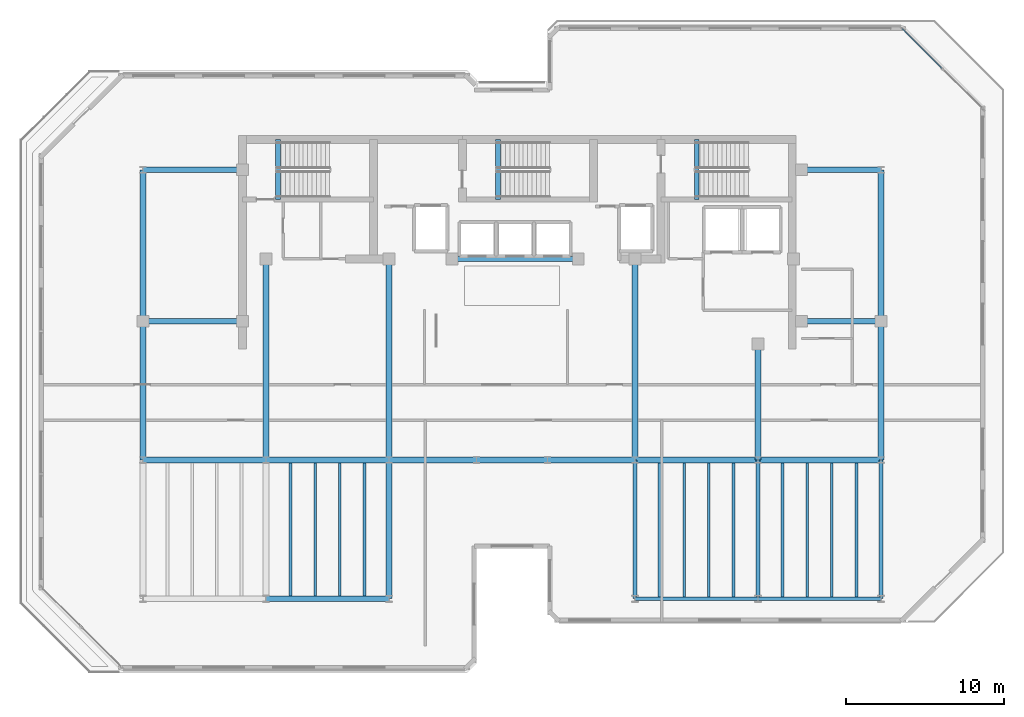
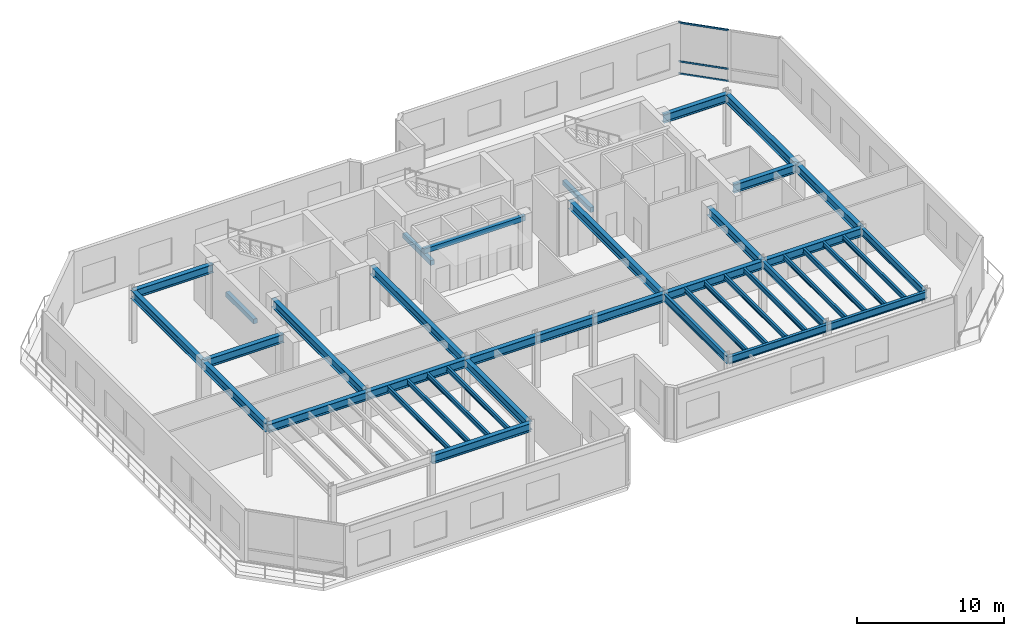
# One storey, part 3 of 14: 42 beams, 3 members, 1 element without a shape of its own.
"""IFC4 building model written with IfcOpenShell, lengths in metres."""

import ifcopenshell
import ifcopenshell.guid

model = None  # the IFC model being written
_history = None  # IfcOwnerHistory: only IFC2X3 demands one
_inside = {}  # id of a spatial element -> (the spatial element, [elements in it])
_under = {}  # id of a project, library or spatial element -> (it, [spatial elements below it])
_declared = {}  # id of a project -> (the project, [libraries it declares])
_typed = {}  # id of a type object -> (the type object, [elements of that type])
_made_of = {}  # id of a material, layer set ... -> (it, [elements and type objects made of it])


def new_model(schema):
    """Start an empty IFC model of exactly this schema.

    Asked for "IFC4X3", IfcOpenShell would pick the latest addendum, in which some entities
    have other attributes; the version numbers below select the first issue.
    IFC2X3 requires an IfcOwnerHistory on every rooted entity: one is made here for all.
    """
    global model, _history
    if schema == "IFC4X3":
        model = ifcopenshell.file(schema_version=(4, 3, 0, 0))
    else:
        model = ifcopenshell.file(schema=schema)
    _inside.clear()
    _under.clear()
    _declared.clear()
    _typed.clear()
    _made_of.clear()
    _history = None
    if model.schema == "IFC2X3":
        org = make("IfcOrganization", Name="unknown")
        user = make(
            "IfcPersonAndOrganization",
            ThePerson=make("IfcPerson", FamilyName="unknown"),
            TheOrganization=org,
        )
        app = make(
            "IfcApplication",
            ApplicationDeveloper=org,
            Version="unknown",
            ApplicationFullName="unknown",
            ApplicationIdentifier="unknown",
        )
        _history = make(
            "IfcOwnerHistory",
            OwningUser=user,
            OwningApplication=app,
            ChangeAction="ADDED",
            CreationDate=0,
        )
    return model


def make(cls, **values):
    """One entity of the class cls with the attributes given. An attribute that is None is left unset."""
    return model.create_entity(
        cls, **{name: value for name, value in values.items() if value is not None}
    )


def rooted(cls, **values):
    """An entity with a GlobalId (a new one), such as an element, a storey or a relation."""
    return make(cls, GlobalId=ifcopenshell.guid.new(), OwnerHistory=_history, **values)


def si_unit(unit_type, name, prefix=None):
    """IfcSIUnit, for example si_unit("LENGTHUNIT", "METRE", prefix="MILLI")."""
    return make("IfcSIUnit", UnitType=unit_type, Prefix=prefix, Name=name)


def assignment(units):
    """IfcUnitAssignment: the units of a project."""
    return None if units is None else make("IfcUnitAssignment", Units=units)


def point(xyz):
    """IfcCartesianPoint."""
    return None if xyz is None else make("IfcCartesianPoint", Coordinates=xyz)


def direction(xyz):
    """IfcDirection."""
    return None if xyz is None else make("IfcDirection", DirectionRatios=xyz)


def frame(location, z_axis=None, x_axis=None):
    """IfcAxis2Placement3D, a coordinate frame: its origin and axes. An axis left out is left unset."""
    return make(
        "IfcAxis2Placement3D",
        Location=point(location),
        Axis=direction(z_axis),
        RefDirection=direction(x_axis),
    )


def frame_2d(location, x_axis=None):
    """IfcAxis2Placement2D, a coordinate frame in the plane: its origin and x axis."""
    return make(
        "IfcAxis2Placement2D", Location=point(location), RefDirection=direction(x_axis)
    )


def origin():
    """The frame at (0, 0, 0) with its axes left unset."""
    return frame((0.0, 0.0, 0.0))


def origin_2d():
    """The frame at (0, 0) in the plane with its x axis left unset."""
    return frame_2d((0.0, 0.0))


def place(relative_to, where):
    """IfcLocalPlacement: puts the frame where relative to a parent placement (None: the world)."""
    return make(
        "IfcLocalPlacement", PlacementRelTo=relative_to, RelativePlacement=where
    )


def context(
    kind, dimensions, precision=None, world=None, true_north=None, identifier=None
):
    """IfcGeometricRepresentationContext, for example the 3D "Model" context."""
    return make(
        "IfcGeometricRepresentationContext",
        ContextIdentifier=identifier,
        ContextType=kind,
        CoordinateSpaceDimension=dimensions,
        Precision=precision,
        WorldCoordinateSystem=world,
        TrueNorth=true_north,
    )


def subcontext(parent, identifier, kind, view, scale=None):
    """IfcGeometricRepresentationSubContext, for example "Body" below "Model"."""
    return make(
        "IfcGeometricRepresentationSubContext",
        ContextIdentifier=identifier,
        ContextType=kind,
        ParentContext=parent,
        TargetScale=scale,
        TargetView=view,
    )


def project(units=None, contexts=None):
    """IfcProject with its units and contexts."""
    return rooted(
        "IfcProject",
        Name="project",
        RepresentationContexts=contexts,
        UnitsInContext=assignment(units),
    )


def spatial(cls, under=None, at=None, **own):
    """A site, building, storey or space (cls), placed at a placement, below another one or the project."""
    s = rooted(cls, ObjectPlacement=at, **own)
    if under is not None:
        _under.setdefault(under.id(), (under, []))[1].append(s)
    return s


def profile(cls, at=None, kind="AREA", **sizes):
    """A parametric profile (cls). Its sizes go by their IFC names, for example OverallWidth=200.0."""
    return make(cls, ProfileType=kind, Position=at, **sizes)


def rectangle(**sizes):
    """IfcRectangleProfileDef."""
    return profile("IfcRectangleProfileDef", **sizes)


def hollow_rectangle(**sizes):
    """IfcRectangleHollowProfileDef."""
    return profile("IfcRectangleHollowProfileDef", **sizes)


def i_section(**sizes):
    """IfcIShapeProfileDef."""
    return profile("IfcIShapeProfileDef", **sizes)


def extrude(swept, where, along, depth):
    """IfcExtrudedAreaSolid: the profile swept, set in the frame where, extruded along a direction by depth."""
    return make(
        "IfcExtrudedAreaSolid",
        SweptArea=swept,
        Position=where,
        ExtrudedDirection=direction(along),
        Depth=depth,
    )


def shape(context_of_items, identifier, shape_type, items):
    """IfcShapeRepresentation: the items that make up one representation, for example the "Body"."""
    return make(
        "IfcShapeRepresentation",
        ContextOfItems=context_of_items,
        RepresentationIdentifier=identifier,
        RepresentationType=shape_type,
        Items=items,
    )


def material(Name=None, Category=None):
    """IfcMaterial."""
    return make("IfcMaterial", Name=Name, Category=Category)


def layer(
    of_material, thickness, ventilated=None, Name=None, Category=None, Priority=None
):
    """IfcMaterialLayer: one layer of a wall or slab, of a material (None: an air gap)."""
    return make(
        "IfcMaterialLayer",
        Material=of_material,
        LayerThickness=thickness,
        IsVentilated=ventilated,
        Name=Name,
        Category=Category,
        Priority=Priority,
    )


def layer_set(layers, Name=None):
    """IfcMaterialLayerSet."""
    return make("IfcMaterialLayerSet", MaterialLayers=layers, LayerSetName=Name)


def material_profile(
    of_material, cross_section, Name=None, Category=None, Priority=None
):
    """IfcMaterialProfile: a cross section and its material."""
    return make(
        "IfcMaterialProfile",
        Name=Name,
        Material=of_material,
        Profile=cross_section,
        Priority=Priority,
        Category=Category,
    )


def profile_set(profiles, Name=None, composite=None):
    """IfcMaterialProfileSet."""
    return make(
        "IfcMaterialProfileSet",
        Name=Name,
        MaterialProfiles=profiles,
        CompositeProfile=composite,
    )


def made_of(thing, what):
    """Note that an element or type object is made of a material, layer set ...; save() writes the relation."""
    if what is not None:
        _made_of.setdefault(what.id(), (what, []))[1].append(thing)
    return thing


def type_object(cls, material=None, **own):
    """A type object (cls), such as IfcWallType, which elements share."""
    return made_of(rooted(cls, **own), material)


def element(
    cls,
    number,
    at=None,
    inside=None,
    cuts=None,
    type_object=None,
    material=None,
    context=None,
    identifier="Body",
    shape_type=None,
    held_by="IfcProductDefinitionShape",
    body=None,
    shapes=None,
    **own,
):
    """One element of the class cls, such as IfcWall. Its Tag is "e" and its number.

    at: its placement. inside: the storey or other place that contains it. cuts: it is an
    opening in that element (IfcRelVoidsElement). A single representation is given by context,
    identifier, shape_type and body (its items); several are given by shapes. held_by: the class
    of the entity that holds the representations. save() writes the other relations.
    """
    e = rooted(cls, Tag="e%d" % number, ObjectPlacement=at, **own)
    if body is not None:
        shapes = [shape(context, identifier, shape_type, body)]
    if shapes is not None:
        e.Representation = make(held_by, Representations=shapes)
    if inside is not None:
        _inside.setdefault(inside.id(), (inside, []))[1].append(e)
    if cuts is not None:
        rooted(
            "IfcRelVoidsElement", RelatingBuildingElement=cuts, RelatedOpeningElement=e
        )
    if type_object is not None:
        _typed.setdefault(type_object.id(), (type_object, []))[1].append(e)
    return made_of(e, material)


def aggregate(whole, parts):
    """IfcRelAggregates: a whole, such as a stair, and the parts it consists of."""
    return rooted("IfcRelAggregates", RelatingObject=whole, RelatedObjects=parts)


def save(model, path):
    """Write the relations noted so far, then the file.

    IfcRelAggregates (storeys below a building ...), IfcRelContainedInSpatialStructure (elements
    in a storey), IfcRelDefinesByType, IfcRelAssociatesMaterial and IfcRelDeclares: one each for
    every whole, place, type object, material and project.
    """
    for whole, parts in _under.values():
        aggregate(whole, parts)
    for where, things in _inside.values():
        rooted(
            "IfcRelContainedInSpatialStructure",
            RelatedElements=things,
            RelatingStructure=where,
        )
    for kind, things in _typed.values():
        rooted("IfcRelDefinesByType", RelatedObjects=things, RelatingType=kind)
    for what, things in _made_of.values():
        rooted("IfcRelAssociatesMaterial", RelatedObjects=things, RelatingMaterial=what)
    for by, libraries in _declared.values():
        rooted("IfcRelDeclares", RelatingContext=by, RelatedDefinitions=libraries)
    model.write(path)


model = new_model("IFC4")

# Units and contexts
model_context = context("Model", 3, precision=1e-05, world=origin(), true_north=direction((0.0, 1.0)))
body_context = subcontext(model_context, "Body", "Model", "MODEL_VIEW")
ifc_project = project(units=[si_unit("LENGTHUNIT", "METRE"), si_unit("AREAUNIT", "SQUARE_METRE"), si_unit("VOLUMEUNIT", "CUBIC_METRE"), si_unit("PLANEANGLEUNIT", "RADIAN"), si_unit("MASSUNIT", "GRAM", prefix="KILO")], contexts=[model_context])

# Site, building, storey
site_placement = place(None, origin())
site = spatial("IfcSite", under=ifc_project, at=site_placement, CompositionType="ELEMENT")
building_placement = place(site_placement, origin())
building = spatial("IfcBuilding", under=site, at=building_placement, Name="Kestravale Grand Hotel", CompositionType="ELEMENT")
storey_placement = place(building_placement, frame((0.0, 0.0, 297.39990234375)))
storey = spatial("IfcBuildingStorey", under=building, at=storey_placement, Name="L74", CompositionType="ELEMENT", Elevation=297.39990234375)

# Beams
ifc_material_1 = material(Name="Steel ASTM A992 Grade 50", Category="steel")
ifc_material_profile_1 = material_profile(ifc_material_1, i_section(OverallWidth=0.177978515625, OverallDepth=0.404052734375, WebThickness=0.007568359375, FlangeThickness=0.010986328125, FilletRadius=0.01416015625, at=origin_2d()))
ifc_profile_set_1 = profile_set([ifc_material_profile_1], Name="Steel ASTM A992 Grade 50")
beam_type_1 = type_object("IfcBeamType", Name="B-FLR-JST16", PredefinedType="JOIST", material=ifc_profile_set_1)
for number, where, z_axis, x_axis, name in (
    (1, (24.9599609375, 11.3779296875, 4.108154296875), (0.0, 1.0, 0.0), (-1.0, 0.0, 0.0), "L74 floor joist 4-5/C-D #1"),
    (2, (26.52001953125, 11.3779296875, 4.108154296875), (0.0, 1.0, 0.0), (-1.0, 0.0, 0.0), "L74 floor joist 4-5/C-D #2"),
    (3, (28.080078125, 11.3779296875, 4.108154296875), (0.0, 1.0, 0.0), (-1.0, 0.0, 0.0), "L74 floor joist 4-5/C-D #3"),
    (4, (29.639892578125, 11.3779296875, 4.108154296875), (0.0, 1.0, 0.0), (-1.0, 0.0, 0.0), "L74 floor joist 4-5/C-D #4"),
):
    element("IfcBeam", number, at=place(storey_placement, frame(where, z_axis=z_axis, x_axis=x_axis)), inside=storey, type_object=beam_type_1, Name=name, PredefinedType="JOIST", context=body_context, shape_type="SweptSolid", body=[
        extrude(i_section(OverallWidth=0.177978515625, OverallDepth=0.404052734375, WebThickness=0.007568359375, FlangeThickness=0.010986328125, FilletRadius=0.01416015625, at=origin_2d()), origin(), (0.0, 0.0, 1.0), 8.444091796875),
    ])
for number, where, z_axis, x_axis, name in (
    (5, (48.360107421875, 11.314453125, 4.108154296875), (0.0, 1.0, 0.0), (-1.0, 0.0, 0.0), "L74 floor joist 8-9/C-D #1"),
    (6, (49.919921875, 11.314453125, 4.108154296875), (0.0, 1.0, 0.0), (-1.0, 0.0, 0.0), "L74 floor joist 8-9/C-D #2"),
    (7, (51.47998046875, 11.314453125, 4.108154296875), (0.0, 1.0, 0.0), (-1.0, 0.0, 0.0), "L74 floor joist 8-9/C-D #3"),
    (8, (53.0400390625, 11.314453125, 4.108154296875), (0.0, 1.0, 0.0), (-1.0, 0.0, 0.0), "L74 floor joist 8-9/C-D #4"),
    (9, (56.159912109375, 11.314453125, 4.108154296875), (0.0, 1.0, 0.0), (-1.0, 0.0, 0.0), "L74 floor joist 9-10/C-D #1"),
    (10, (57.719970703125, 11.314453125, 4.108154296875), (0.0, 1.0, 0.0), (-1.0, 0.0, 0.0), "L74 floor joist 9-10/C-D #2"),
    (11, (59.280029296875, 11.314453125, 4.108154296875), (0.0, 1.0, 0.0), (-1.0, 0.0, 0.0), "L74 floor joist 9-10/C-D #3"),
    (12, (60.840087890625, 11.314453125, 4.108154296875), (0.0, 1.0, 0.0), (-1.0, 0.0, 0.0), "L74 floor joist 9-10/C-D #4"),
):
    element("IfcBeam", number, at=place(storey_placement, frame(where, z_axis=z_axis, x_axis=x_axis)), inside=storey, type_object=beam_type_1, Name=name, PredefinedType="JOIST", context=body_context, shape_type="SweptSolid", body=[
        extrude(i_section(OverallWidth=0.177978515625, OverallDepth=0.404052734375, WebThickness=0.007568359375, FlangeThickness=0.010986328125, FilletRadius=0.01416015625, at=origin_2d()), origin(), (0.0, 0.0, 1.0), 8.507568359375),
    ])
ifc_material_2 = material(Name="Concrete f'c 45 MPa", Category="concrete")
ifc_material_profile_2 = material_profile(ifc_material_2, rectangle(XDim=0.300048828125, YDim=0.39990234375, at=origin_2d()))
ifc_profile_set_2 = profile_set([ifc_material_profile_2], Name="Concrete f'c 45 MPa")
beam_type_2 = type_object("IfcBeamType", Name="B-FLR-LNT400", PredefinedType="LINTEL", material=ifc_profile_set_2)
beam_1_placement = place(storey_placement, frame((35.199951171875, 32.75, 4.110107421875), z_axis=(1.0, 0.0, 0.0), x_axis=(0.0, 1.0, 0.0)))
element("IfcBeam", 13, at=beam_1_placement, inside=storey, type_object=beam_type_2, Name="L74 core portal header lintel", PredefinedType="LINTEL", context=body_context, shape_type="SweptSolid", body=[
    extrude(rectangle(XDim=0.300048828125, YDim=0.39990234375, at=origin_2d()), origin(), (0.0, 0.0, 1.0), 8.0),
])
for number, where, z_axis, x_axis, name in (
    (14, (24.159912109375, 36.52001953125, -0.199951171875), (0.0, 1.0, 0.0), (-1.0, 0.0, 0.0), "L74 ST1 flight bottom header beam"),
    (15, (38.110107421875, 36.52001953125, -0.199951171875), (0.0, 1.0, 0.0), (-1.0, 0.0, 0.0), "L74 ST2 flight bottom header beam"),
    (16, (50.7099609375, 36.52001953125, -0.199951171875), (0.0, 1.0, 0.0), (-1.0, 0.0, 0.0), "L74 ST3 flight bottom header beam"),
):
    element("IfcBeam", number, at=place(storey_placement, frame(where, z_axis=z_axis, x_axis=x_axis)), inside=storey, type_object=beam_type_2, Name=name, PredefinedType="LINTEL", context=body_context, shape_type="SweptSolid", body=[
        extrude(rectangle(XDim=0.300048828125, YDim=0.39990234375, at=origin_2d()), origin(), (0.0, 0.0, 1.0), 3.800048828125),
    ])
ifc_material_3 = material(Name="Steel ASTM A992 Grade 50", Category="steel")
ifc_material_profile_3 = material_profile(ifc_material_3, i_section(OverallWidth=0.22900390625, OverallDepth=0.612060546875, WebThickness=0.011962890625, FlangeThickness=0.01953125, FilletRadius=0.019287109375, at=origin_2d()))
ifc_profile_set_3 = profile_set([ifc_material_profile_3], Name="Steel ASTM A992 Grade 50")
beam_type_3 = type_object("IfcBeamType", Name="B-FLR-W24B", PredefinedType="SPANDREL", material=ifc_profile_set_3)
beam_2_placement = place(storey_placement, frame((46.800048828125, 11.199951171875, 4.004150390625), z_axis=(1.0, 0.0, 0.0), x_axis=(0.0, 1.0, 0.0)))
element("IfcBeam", 17, at=beam_2_placement, inside=storey, type_object=beam_type_3, Name="L74 spandrel C:8-9", PredefinedType="SPANDREL", context=body_context, shape_type="SweptSolid", body=[
    extrude(i_section(OverallWidth=0.22900390625, OverallDepth=0.612060546875, WebThickness=0.011962890625, FlangeThickness=0.01953125, FilletRadius=0.019287109375, at=origin_2d()), origin(), (0.0, 0.0, 1.0), 7.800048828125),
])
beam_3_placement = place(storey_placement, frame((54.60009765625, 11.199951171875, 4.004150390625), z_axis=(1.0, 0.0, 0.0), x_axis=(0.0, 1.0, 0.0)))
element("IfcBeam", 18, at=beam_3_placement, inside=storey, type_object=beam_type_3, Name="L74 spandrel C:9-10", PredefinedType="SPANDREL", context=body_context, shape_type="SweptSolid", body=[
    extrude(i_section(OverallWidth=0.22900390625, OverallDepth=0.612060546875, WebThickness=0.011962890625, FlangeThickness=0.01953125, FilletRadius=0.019287109375, at=origin_2d()), origin(), (0.0, 0.0, 1.0), 7.7998046875),
])
for number, where, z_axis, x_axis, name in (
    (19, (46.800048828125, 11.199951171875, 4.004150390625), (0.0, 1.0, 0.0), (-1.0, 0.0, 0.0), "L74 spandrel 8:C-D"),
    (20, (54.60009765625, 11.199951171875, 4.004150390625), (0.0, 1.0, 0.0), (-1.0, 0.0, 0.0), "L74 spandrel 9:C-D"),
    (21, (62.39990234375, 11.199951171875, 4.004150390625), (0.0, 1.0, 0.0), (-1.0, 0.0, 0.0), "L74 spandrel 10:C-D"),
):
    element("IfcBeam", number, at=place(storey_placement, frame(where, z_axis=z_axis, x_axis=x_axis)), inside=storey, type_object=beam_type_3, Name=name, PredefinedType="SPANDREL", context=body_context, shape_type="SweptSolid", body=[
        extrude(i_section(OverallWidth=0.22900390625, OverallDepth=0.612060546875, WebThickness=0.011962890625, FlangeThickness=0.01953125, FilletRadius=0.019287109375, at=origin_2d()), origin(), (0.0, 0.0, 1.0), 8.800048828125),
    ])
ifc_material_4 = material(Name="Steel ASTM A992 Grade 50", Category="steel")
ifc_material_profile_4 = material_profile(ifc_material_4, i_section(OverallWidth=0.35595703125, OverallDepth=0.696044921875, WebThickness=0.015380859375, FlangeThickness=0.02490234375, FilletRadius=0.021240234375, at=origin_2d()))
ifc_profile_set_4 = profile_set([ifc_material_profile_4], Name="Steel ASTM A992 Grade 50")
beam_type_4 = type_object("IfcBeamType", Name="B-GRD-W27", PredefinedType="BEAM", material=ifc_profile_set_4)
beam_4_placement = place(storey_placement, frame((23.39990234375, 11.199951171875, 3.962158203125), z_axis=(1.0, 0.0, 0.0), x_axis=(0.0, 1.0, 0.0)))
element("IfcBeam", 22, at=beam_4_placement, inside=storey, type_object=beam_type_4, Name="L74 girder C:4-5", PredefinedType="BEAM", context=body_context, shape_type="SweptSolid", body=[
    extrude(i_section(OverallWidth=0.35595703125, OverallDepth=0.696044921875, WebThickness=0.015380859375, FlangeThickness=0.02490234375, FilletRadius=0.021240234375, at=origin_2d()), origin(), (0.0, 0.0, 1.0), 7.800048828125),
])
beam_5_placement = place(storey_placement, frame((15.60009765625, 20.0, 3.962158203125), z_axis=(1.0, 0.0, 0.0), x_axis=(0.0, 1.0, 0.0)))
element("IfcBeam", 23, at=beam_5_placement, inside=storey, type_object=beam_type_4, Name="L74 girder D:3-4", PredefinedType="BEAM", context=body_context, shape_type="SweptSolid", body=[
    extrude(i_section(OverallWidth=0.35595703125, OverallDepth=0.696044921875, WebThickness=0.015380859375, FlangeThickness=0.02490234375, FilletRadius=0.021240234375, at=origin_2d()), origin(), (0.0, 0.0, 1.0), 7.7998046875),
])
beam_6_placement = place(storey_placement, frame((23.39990234375, 20.0, 3.962158203125), z_axis=(1.0, 0.0, 0.0), x_axis=(0.0, 1.0, 0.0)))
element("IfcBeam", 24, at=beam_6_placement, inside=storey, type_object=beam_type_4, Name="L74 girder D:4-5", PredefinedType="BEAM", context=body_context, shape_type="SweptSolid", body=[
    extrude(i_section(OverallWidth=0.35595703125, OverallDepth=0.696044921875, WebThickness=0.015380859375, FlangeThickness=0.02490234375, FilletRadius=0.021240234375, at=origin_2d()), origin(), (0.0, 0.0, 1.0), 7.800048828125),
])
beam_7_placement = place(storey_placement, frame((31.199951171875, 20.0, 3.962158203125), z_axis=(1.0, 0.0, 0.0), x_axis=(0.0, 1.0, 0.0)))
element("IfcBeam", 25, at=beam_7_placement, inside=storey, type_object=beam_type_4, Name="L74 girder D:5-6", PredefinedType="BEAM", context=body_context, shape_type="SweptSolid", body=[
    extrude(i_section(OverallWidth=0.35595703125, OverallDepth=0.696044921875, WebThickness=0.015380859375, FlangeThickness=0.02490234375, FilletRadius=0.021240234375, at=origin_2d()), origin(), (0.0, 0.0, 1.0), 5.550048828125),
])
beam_8_placement = place(storey_placement, frame((36.75, 20.0, 3.962158203125), z_axis=(1.0, 0.0, 0.0), x_axis=(0.0, 1.0, 0.0)))
element("IfcBeam", 26, at=beam_8_placement, inside=storey, type_object=beam_type_4, Name="L74 girder D:6-7", PredefinedType="BEAM", context=body_context, shape_type="SweptSolid", body=[
    extrude(i_section(OverallWidth=0.35595703125, OverallDepth=0.696044921875, WebThickness=0.015380859375, FlangeThickness=0.02490234375, FilletRadius=0.021240234375, at=origin_2d()), origin(), (0.0, 0.0, 1.0), 4.5),
])
beam_9_placement = place(storey_placement, frame((41.25, 20.0, 3.962158203125), z_axis=(1.0, 0.0, 0.0), x_axis=(0.0, 1.0, 0.0)))
element("IfcBeam", 27, at=beam_9_placement, inside=storey, type_object=beam_type_4, Name="L74 girder D:7-8", PredefinedType="BEAM", context=body_context, shape_type="SweptSolid", body=[
    extrude(i_section(OverallWidth=0.35595703125, OverallDepth=0.696044921875, WebThickness=0.015380859375, FlangeThickness=0.02490234375, FilletRadius=0.021240234375, at=origin_2d()), origin(), (0.0, 0.0, 1.0), 5.550048828125),
])
beam_10_placement = place(storey_placement, frame((46.800048828125, 20.0, 3.962158203125), z_axis=(1.0, 0.0, 0.0), x_axis=(0.0, 1.0, 0.0)))
element("IfcBeam", 28, at=beam_10_placement, inside=storey, type_object=beam_type_4, Name="L74 girder D:8-9", PredefinedType="BEAM", context=body_context, shape_type="SweptSolid", body=[
    extrude(i_section(OverallWidth=0.35595703125, OverallDepth=0.696044921875, WebThickness=0.015380859375, FlangeThickness=0.02490234375, FilletRadius=0.021240234375, at=origin_2d()), origin(), (0.0, 0.0, 1.0), 7.800048828125),
])
beam_11_placement = place(storey_placement, frame((54.60009765625, 20.0, 3.962158203125), z_axis=(1.0, 0.0, 0.0), x_axis=(0.0, 1.0, 0.0)))
element("IfcBeam", 29, at=beam_11_placement, inside=storey, type_object=beam_type_4, Name="L74 girder D:9-10", PredefinedType="BEAM", context=body_context, shape_type="SweptSolid", body=[
    extrude(i_section(OverallWidth=0.35595703125, OverallDepth=0.696044921875, WebThickness=0.015380859375, FlangeThickness=0.02490234375, FilletRadius=0.021240234375, at=origin_2d()), origin(), (0.0, 0.0, 1.0), 7.7998046875),
])
beam_12_placement = place(storey_placement, frame((15.60009765625, 28.800048828125, 3.962158203125), z_axis=(1.0, 0.0, 0.0), x_axis=(0.0, 1.0, 0.0)))
element("IfcBeam", 30, at=beam_12_placement, inside=storey, type_object=beam_type_4, Name="L74 girder E:3-CW", PredefinedType="BEAM", context=body_context, shape_type="SweptSolid", body=[
    extrude(i_section(OverallWidth=0.35595703125, OverallDepth=0.696044921875, WebThickness=0.015380859375, FlangeThickness=0.02490234375, FilletRadius=0.021240234375, at=origin_2d()), origin(), (0.0, 0.0, 1.0), 6.2998046875),
])
beam_13_placement = place(storey_placement, frame((57.35009765625, 28.800048828125, 3.962158203125), z_axis=(1.0, 0.0, 0.0), x_axis=(0.0, 1.0, 0.0)))
element("IfcBeam", 31, at=beam_13_placement, inside=storey, type_object=beam_type_4, Name="L74 girder E:CE-10", PredefinedType="BEAM", context=body_context, shape_type="SweptSolid", body=[
    extrude(i_section(OverallWidth=0.35595703125, OverallDepth=0.696044921875, WebThickness=0.015380859375, FlangeThickness=0.02490234375, FilletRadius=0.021240234375, at=origin_2d()), origin(), (0.0, 0.0, 1.0), 5.0498046875),
])
beam_14_placement = place(storey_placement, frame((15.60009765625, 38.39990234375, 3.962158203125), z_axis=(1.0, 0.0, 0.0), x_axis=(0.0, 1.0, 0.0)))
element("IfcBeam", 32, at=beam_14_placement, inside=storey, type_object=beam_type_4, Name="L74 girder F:3-CW", PredefinedType="BEAM", context=body_context, shape_type="SweptSolid", body=[
    extrude(i_section(OverallWidth=0.35595703125, OverallDepth=0.696044921875, WebThickness=0.015380859375, FlangeThickness=0.02490234375, FilletRadius=0.021240234375, at=origin_2d()), origin(), (0.0, 0.0, 1.0), 6.2998046875),
])
beam_15_placement = place(storey_placement, frame((57.35009765625, 38.39990234375, 3.962158203125), z_axis=(1.0, 0.0, 0.0), x_axis=(0.0, 1.0, 0.0)))
element("IfcBeam", 33, at=beam_15_placement, inside=storey, type_object=beam_type_4, Name="L74 girder F:CE-10", PredefinedType="BEAM", context=body_context, shape_type="SweptSolid", body=[
    extrude(i_section(OverallWidth=0.35595703125, OverallDepth=0.696044921875, WebThickness=0.015380859375, FlangeThickness=0.02490234375, FilletRadius=0.021240234375, at=origin_2d()), origin(), (0.0, 0.0, 1.0), 5.0498046875),
])
beam_16_placement = place(storey_placement, frame((15.60009765625, 20.0, 3.962158203125), z_axis=(0.0, 1.0, 0.0), x_axis=(-1.0, 0.0, 0.0)))
element("IfcBeam", 34, at=beam_16_placement, inside=storey, type_object=beam_type_4, Name="L74 girder 3:D-E", PredefinedType="BEAM", context=body_context, shape_type="SweptSolid", body=[
    extrude(i_section(OverallWidth=0.35595703125, OverallDepth=0.696044921875, WebThickness=0.015380859375, FlangeThickness=0.02490234375, FilletRadius=0.021240234375, at=origin_2d()), origin(), (0.0, 0.0, 1.0), 8.800048828125),
])
beam_17_placement = place(storey_placement, frame((15.60009765625, 28.800048828125, 3.962158203125), z_axis=(0.0, 1.0, 0.0), x_axis=(-1.0, 0.0, 0.0)))
element("IfcBeam", 35, at=beam_17_placement, inside=storey, type_object=beam_type_4, Name="L74 girder 3:E-F", PredefinedType="BEAM", context=body_context, shape_type="SweptSolid", body=[
    extrude(i_section(OverallWidth=0.35595703125, OverallDepth=0.696044921875, WebThickness=0.015380859375, FlangeThickness=0.02490234375, FilletRadius=0.021240234375, at=origin_2d()), origin(), (0.0, 0.0, 1.0), 9.599853515625),
])
beam_18_placement = place(storey_placement, frame((23.39990234375, 20.0, 3.962158203125), z_axis=(0.0, 1.0, 0.0), x_axis=(-1.0, 0.0, 0.0)))
element("IfcBeam", 36, at=beam_18_placement, inside=storey, type_object=beam_type_4, Name="L74 girder 4:D-CS", PredefinedType="BEAM", context=body_context, shape_type="SweptSolid", body=[
    extrude(i_section(OverallWidth=0.35595703125, OverallDepth=0.696044921875, WebThickness=0.015380859375, FlangeThickness=0.02490234375, FilletRadius=0.021240234375, at=origin_2d()), origin(), (0.0, 0.0, 1.0), 12.75),
])
beam_19_placement = place(storey_placement, frame((31.199951171875, 11.199951171875, 3.962158203125), z_axis=(0.0, 1.0, 0.0), x_axis=(-1.0, 0.0, 0.0)))
element("IfcBeam", 37, at=beam_19_placement, inside=storey, type_object=beam_type_4, Name="L74 girder 5:C-D", PredefinedType="BEAM", context=body_context, shape_type="SweptSolid", body=[
    extrude(i_section(OverallWidth=0.35595703125, OverallDepth=0.696044921875, WebThickness=0.015380859375, FlangeThickness=0.02490234375, FilletRadius=0.021240234375, at=origin_2d()), origin(), (0.0, 0.0, 1.0), 8.800048828125),
])
for number, where, z_axis, x_axis, name in (
    (38, (31.199951171875, 20.0, 3.962158203125), (0.0, 1.0, 0.0), (-1.0, 0.0, 0.0), "L74 girder 5:D-CS"),
    (39, (46.800048828125, 20.0, 3.962158203125), (0.0, 1.0, 0.0), (-1.0, 0.0, 0.0), "L74 girder 8:D-CS"),
):
    element("IfcBeam", number, at=place(storey_placement, frame(where, z_axis=z_axis, x_axis=x_axis)), inside=storey, type_object=beam_type_4, Name=name, PredefinedType="BEAM", context=body_context, shape_type="SweptSolid", body=[
        extrude(i_section(OverallWidth=0.35595703125, OverallDepth=0.696044921875, WebThickness=0.015380859375, FlangeThickness=0.02490234375, FilletRadius=0.021240234375, at=origin_2d()), origin(), (0.0, 0.0, 1.0), 12.75),
    ])
beam_20_placement = place(storey_placement, frame((54.60009765625, 20.0, 3.962158203125), z_axis=(0.0, 1.0, 0.0), x_axis=(-1.0, 0.0, 0.0)))
element("IfcBeam", 40, at=beam_20_placement, inside=storey, type_object=beam_type_4, Name="L74 girder 9:D-CS", PredefinedType="BEAM", context=body_context, shape_type="SweptSolid", body=[
    extrude(i_section(OverallWidth=0.35595703125, OverallDepth=0.696044921875, WebThickness=0.015380859375, FlangeThickness=0.02490234375, FilletRadius=0.021240234375, at=origin_2d()), origin(), (0.0, 0.0, 1.0), 7.35009765625),
])
beam_21_placement = place(storey_placement, frame((62.39990234375, 20.0, 3.962158203125), z_axis=(0.0, 1.0, 0.0), x_axis=(-1.0, 0.0, 0.0)))
element("IfcBeam", 41, at=beam_21_placement, inside=storey, type_object=beam_type_4, Name="L74 girder 10:D-E", PredefinedType="BEAM", context=body_context, shape_type="SweptSolid", body=[
    extrude(i_section(OverallWidth=0.35595703125, OverallDepth=0.696044921875, WebThickness=0.015380859375, FlangeThickness=0.02490234375, FilletRadius=0.021240234375, at=origin_2d()), origin(), (0.0, 0.0, 1.0), 8.800048828125),
])
beam_22_placement = place(storey_placement, frame((62.39990234375, 28.800048828125, 3.962158203125), z_axis=(0.0, 1.0, 0.0), x_axis=(-1.0, 0.0, 0.0)))
element("IfcBeam", 42, at=beam_22_placement, inside=storey, type_object=beam_type_4, Name="L74 girder 10:E-F", PredefinedType="BEAM", context=body_context, shape_type="SweptSolid", body=[
    extrude(i_section(OverallWidth=0.35595703125, OverallDepth=0.696044921875, WebThickness=0.015380859375, FlangeThickness=0.02490234375, FilletRadius=0.021240234375, at=origin_2d()), origin(), (0.0, 0.0, 1.0), 9.599853515625),
])

# Curtain wall, members
ifc_material_5 = material(Name="Thermally broken champagne-bronze aluminium and low-E glazing", Category="aluminium")
ifc_layer = layer(ifc_material_5, 0.239990234375)
ifc_layer_set = layer_set([ifc_layer], Name="CW-OBS")
curtain_wall_type = type_object("IfcCurtainWallType", Name="CW-OBS", PredefinedType="NOTDEFINED", material=ifc_layer_set)
curtain_wall_placement = place(storey_placement, origin())
curtain_wall = element("IfcCurtainWall", 43, at=curtain_wall_placement, inside=storey, type_object=curtain_wall_type, Name="L74 unitised curtain wall 10", PredefinedType="NOTDEFINED")
ifc_material_6 = material(Name="Aluminium 6063-T6 anodised", Category="aluminium")
ifc_material_profile_5 = material_profile(ifc_material_6, hollow_rectangle(XDim=0.074951171875, YDim=0.139892578125, WallThickness=0.00341796875, at=origin_2d()))
ifc_profile_set_5 = profile_set([ifc_material_profile_5], Name="Aluminium 6063-T6 anodised")
member_type = type_object("IfcMemberType", Name="CW-TRN-140", PredefinedType="USERDEFINED", material=ifc_profile_set_5)
member_1_placement = place(storey_placement, frame((66.27099609375, 44.8310546875, 0.03759765625), z_axis=(-0.707140978105, 0.707072582614, 0.0), x_axis=(-0.707072582614, -0.707140978105, 0.0)))
member_1 = element("IfcMember", 44, at=member_1_placement, type_object=member_type, Name="CW-OBS transom 2.1", ObjectType="TRANSOM", PredefinedType="USERDEFINED", context=body_context, shape_type="SweptSolid", body=[
    extrude(hollow_rectangle(XDim=0.074951171875, YDim=0.139892578125, WallThickness=0.00341796875, at=origin_2d()), origin(), (0.0, 0.0, 1.0), 3.569580078125),
])
member_2_placement = place(storey_placement, frame((66.27099609375, 44.8310546875, 1.050048828125), z_axis=(-0.707140978105, 0.707072582614, 0.0), x_axis=(-0.707072582614, -0.707140978105, 0.0)))
member_2 = element("IfcMember", 45, at=member_2_placement, type_object=member_type, Name="CW-OBS transom 2.2", ObjectType="TRANSOM", PredefinedType="USERDEFINED", context=body_context, shape_type="SweptSolid", body=[
    extrude(hollow_rectangle(XDim=0.074951171875, YDim=0.139892578125, WallThickness=0.00341796875, at=origin_2d()), origin(), (0.0, 0.0, 1.0), 3.569580078125),
])
member_3_placement = place(storey_placement, frame((66.27099609375, 44.8310546875, 4.272705078125), z_axis=(-0.707140978105, 0.707072582614, 0.0), x_axis=(-0.707072582614, -0.707140978105, 0.0)))
member_3 = element("IfcMember", 46, at=member_3_placement, type_object=member_type, Name="CW-OBS transom 2.3", ObjectType="TRANSOM", PredefinedType="USERDEFINED", context=body_context, shape_type="SweptSolid", body=[
    extrude(hollow_rectangle(XDim=0.074951171875, YDim=0.139892578125, WallThickness=0.00341796875, at=origin_2d()), origin(), (0.0, 0.0, 1.0), 3.569580078125),
])
aggregate(curtain_wall, [member_1, member_2, member_3])

save(model, "model.ifc")
